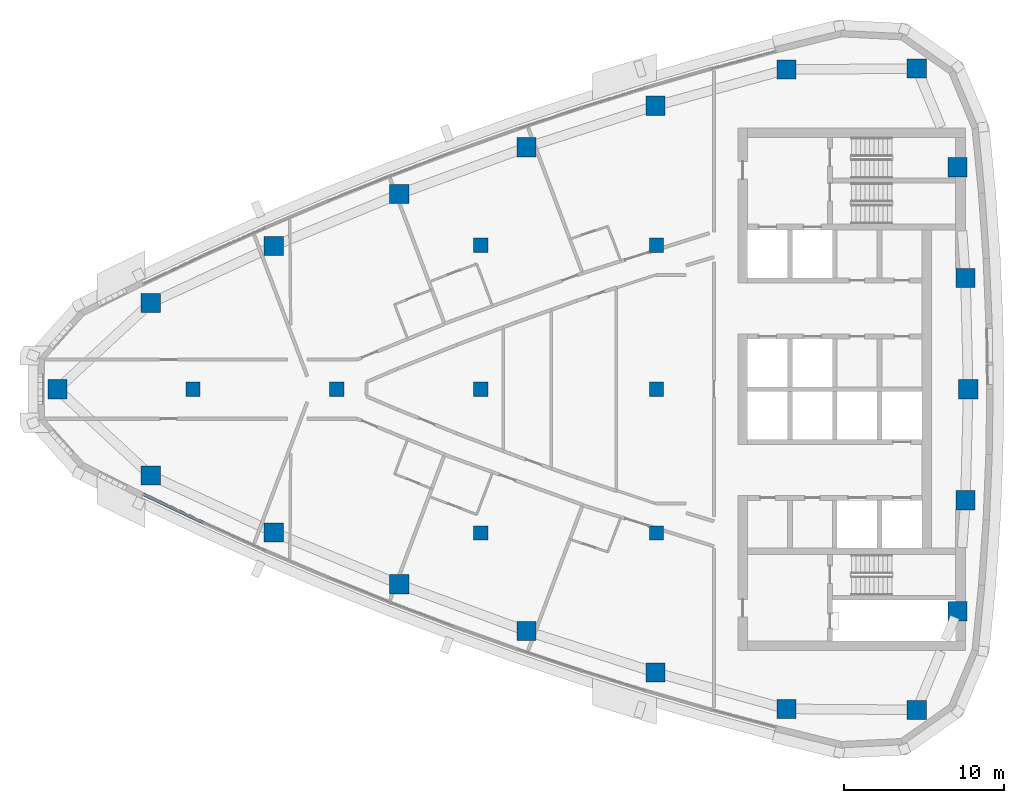
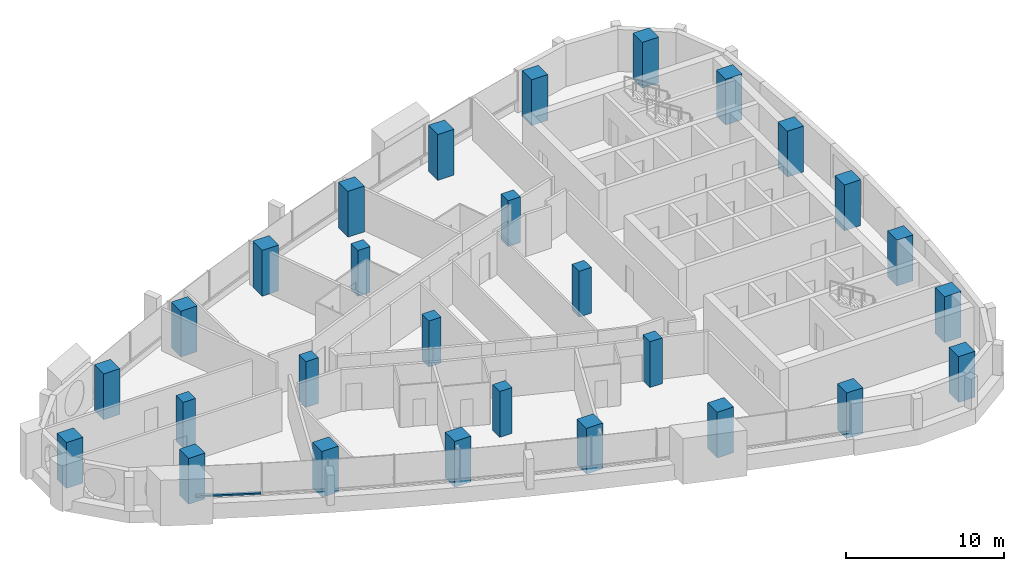
# One storey, part 1 of 15: 28 columns, 1 member, 1 element without a shape of its own.
"""IFC4 building model written with IfcOpenShell, lengths in metres."""

from ifc_helpers import new_model, si_unit, direction, frame, origin, origin_2d, place, context, subcontext, project, spatial, rectangle, extrude, material, layer, layer_set, material_profile, profile_set, type_object, element, aggregate, save


model = new_model("IFC4")

# Units and contexts
model_context = context("Model", 3, precision=1e-05, world=origin(), true_north=direction((0.0, 1.0)))
body_context = subcontext(model_context, "Body", "Model", "MODEL_VIEW")
ifc_project = project(units=[si_unit("LENGTHUNIT", "METRE"), si_unit("AREAUNIT", "SQUARE_METRE"), si_unit("VOLUMEUNIT", "CUBIC_METRE"), si_unit("PLANEANGLEUNIT", "RADIAN"), si_unit("MASSUNIT", "GRAM", prefix="KILO")], contexts=[model_context])

# Site, building, storey
site_placement = place(None, origin())
site = spatial("IfcSite", under=ifc_project, at=site_placement, CompositionType="ELEMENT")
building_placement = place(site_placement, origin())
building = spatial("IfcBuilding", under=site, at=building_placement, Name="Ostrand Prow Hotel Tower", CompositionType="ELEMENT")
storey_placement = place(building_placement, frame((0.0, 0.0, 238.550048828125)))
storey = spatial("IfcBuildingStorey", under=building, at=storey_placement, Name="L60", CompositionType="ELEMENT", Elevation=238.550048828125)

# Columns
ifc_material_1 = material(Name="Concrete C50/60", Category="concrete")
ifc_material_profile_1 = material_profile(ifc_material_1, rectangle(XDim=0.89990234375, YDim=0.89990234375, at=origin_2d()), Name="RC 900x900")
ifc_profile_set_1 = profile_set([ifc_material_profile_1], Name="Concrete C50/60")
column_type_1 = type_object("IfcColumnType", Name="Interior column 900x900 C50/60", PredefinedType="COLUMN", material=ifc_profile_set_1)
for number, where, z_axis, x_axis, name in (
    (1, (16.0, 0.0, 0.0), (0.0, 0.0, 1.0), (1.0, 0.0, 0.0), "Interior column 16C0"),
    (2, (25.0, 0.0, 0.0), (0.0, 0.0, 1.0), (1.0, 0.0, 0.0), "Interior column 25C0"),
    (3, (34.0, -9.0, 0.0), (0.0, 0.0, 1.0), (1.0, 0.0, 0.0), "Interior column 34S9"),
    (4, (34.0, 0.0, 0.0), (0.0, 0.0, 1.0), (1.0, 0.0, 0.0), "Interior column 34C0"),
    (5, (34.0, 9.0, 0.0), (0.0, 0.0, 1.0), (1.0, 0.0, 0.0), "Interior column 34N9"),
    (6, (45.0, -9.0, 0.0), (0.0, 0.0, 1.0), (1.0, 0.0, 0.0), "Interior column 45S9"),
    (7, (45.0, 0.0, 0.0), (0.0, 0.0, 1.0), (1.0, 0.0, 0.0), "Interior column 45C0"),
    (8, (45.0, 9.0, 0.0), (0.0, 0.0, 1.0), (1.0, 0.0, 0.0), "Interior column 45N9"),
):
    element("IfcColumn", number, at=place(storey_placement, frame(where, z_axis=z_axis, x_axis=x_axis)), inside=storey, type_object=column_type_1, Name=name, PredefinedType="COLUMN", context=body_context, shape_type="SweptSolid", body=[
        extrude(rectangle(XDim=0.89990234375, YDim=0.89990234375, at=origin_2d()), origin(), (0.0, 0.0, 1.0), 3.550048828125),
    ])
ifc_material_2 = material(Name="Concrete C50/60", Category="concrete")
ifc_material_profile_2 = material_profile(ifc_material_2, rectangle(XDim=1.199951171875, YDim=1.199951171875, at=origin_2d()), Name="RC 1200x1200")
ifc_profile_set_2 = profile_set([ifc_material_profile_2], Name="Concrete C50/60")
column_type_2 = type_object("IfcColumnType", Name="Stone-faced mega column 1200x1200 C50/60", PredefinedType="COLUMN", material=ifc_profile_set_2)
for number, where, z_axis, x_axis, name in (
    (9, (7.513916015625, 0.0, 0.0), (0.0, 0.0, 1.0), (1.0, 0.0, 0.0), "Mega column P"),
    (10, (13.356201171875, -5.392822265625, 0.0), (0.0, 0.0, 1.0), (1.0, 0.0, 0.0), "Mega column S1"),
    (11, (21.05859375, -8.95751953125, 0.0), (0.0, 0.0, 1.0), (1.0, 0.0, 0.0), "Mega column S2"),
    (12, (28.900146484375, -12.205322265625, 0.0), (0.0, 0.0, 1.0), (1.0, 0.0, 0.0), "Mega column S3"),
    (13, (36.8671875, -15.131591796875, 0.0), (0.0, 0.0, 1.0), (1.0, 0.0, 0.0), "Mega column S4"),
    (14, (44.94677734375, -17.731201171875, 0.0), (0.0, 0.0, 1.0), (1.0, 0.0, 0.0), "Mega column S5"),
    (15, (53.12548828125, -19.99951171875, 0.0), (0.0, 0.0, 1.0), (1.0, 0.0, 0.0), "Mega column S6"),
    (16, (61.283935546875, -20.06201171875, 0.0), (0.0, 0.0, 1.0), (1.0, 0.0, 0.0), "Mega column SE"),
    (17, (63.826416015625, -13.887939453125, 0.0), (0.0, 0.0, 1.0), (1.0, 0.0, 0.0), "Mega column B1"),
    (18, (64.33154296875, -6.9521484375, 0.0), (0.0, 0.0, 1.0), (1.0, 0.0, 0.0), "Mega column B2"),
    (19, (64.5, 0.0, 0.0), (0.0, 0.0, 1.0), (1.0, 0.0, 0.0), "Mega column B3"),
    (20, (64.33154296875, 6.9521484375, 0.0), (0.0, 0.0, 1.0), (1.0, 0.0, 0.0), "Mega column B4"),
    (21, (63.826416015625, 13.887939453125, 0.0), (0.0, 0.0, 1.0), (1.0, 0.0, 0.0), "Mega column B5"),
    (22, (61.283935546875, 20.06201171875, 0.0), (0.0, 0.0, 1.0), (1.0, 0.0, 0.0), "Mega column NE"),
    (23, (53.12548828125, 19.99951171875, 0.0), (0.0, 0.0, 1.0), (1.0, 0.0, 0.0), "Mega column N1"),
    (24, (44.94677734375, 17.731201171875, 0.0), (0.0, 0.0, 1.0), (1.0, 0.0, 0.0), "Mega column N2"),
    (25, (36.8671875, 15.131591796875, 0.0), (0.0, 0.0, 1.0), (1.0, 0.0, 0.0), "Mega column N3"),
    (26, (28.900146484375, 12.205322265625, 0.0), (0.0, 0.0, 1.0), (1.0, 0.0, 0.0), "Mega column N4"),
    (27, (21.05859375, 8.95751953125, 0.0), (0.0, 0.0, 1.0), (1.0, 0.0, 0.0), "Mega column N5"),
    (28, (13.356201171875, 5.392822265625, 0.0), (0.0, 0.0, 1.0), (1.0, 0.0, 0.0), "Mega column N6"),
):
    element("IfcColumn", number, at=place(storey_placement, frame(where, z_axis=z_axis, x_axis=x_axis)), inside=storey, type_object=column_type_2, Name=name, PredefinedType="COLUMN", context=body_context, shape_type="SweptSolid", body=[
        extrude(rectangle(XDim=1.199951171875, YDim=1.199951171875, at=origin_2d()), origin(), (0.0, 0.0, 1.0), 3.550048828125),
    ])

# Curtain wall, member
ifc_material_3 = material(Name="Insulated glass in bronze anodised frame", Category="glass")
ifc_layer = layer(ifc_material_3, 0.199951171875)
ifc_layer_set = layer_set([ifc_layer], Name="Insulated glass in bronze anodised frame")
curtain_wall_type = type_object("IfcCurtainWallType", Name="Strip curtain wall, fritted glass over bronze spandrel", PredefinedType="NOTDEFINED", material=ifc_layer_set)
curtain_wall_placement = place(storey_placement, origin())
curtain_wall = element("IfcCurtainWall", 29, at=curtain_wall_placement, inside=storey, type_object=curtain_wall_type, Name="CW1 run CWS1", PredefinedType="NOTDEFINED")
ifc_material_4 = material(Name="Bronze anodised aluminium", Category="aluminium")
ifc_material_profile_3 = material_profile(ifc_material_4, rectangle(XDim=0.199951171875, YDim=0.1201171875, at=origin_2d()), Name="Transom 120x200 bronze anodised aluminium")
ifc_profile_set_3 = profile_set([ifc_material_profile_3], Name="Bronze anodised aluminium")
member_type = type_object("IfcMemberType", Name="Transom 120x200 bronze anodised aluminium", PredefinedType="USERDEFINED", material=ifc_profile_set_3)
member_placement = place(storey_placement, frame((12.92041015625, -6.583740234375, 0.9599609375), z_axis=(0.903364977925, -0.428872611226, 0.0), x_axis=(0.428872611226, 0.903364977925, 0.0)))
member = element("IfcMember", 30, at=member_placement, type_object=member_type, Name="CW1 transom 1.1", ObjectType="TRANSOM", PredefinedType="USERDEFINED", context=body_context, shape_type="SweptSolid", body=[
    extrude(rectangle(XDim=0.199951171875, YDim=0.1201171875, at=origin_2d()), origin(), (0.0, 0.0, 1.0), 4.16357421875),
])
aggregate(curtain_wall, [member])

save(model, "model.ifc")
